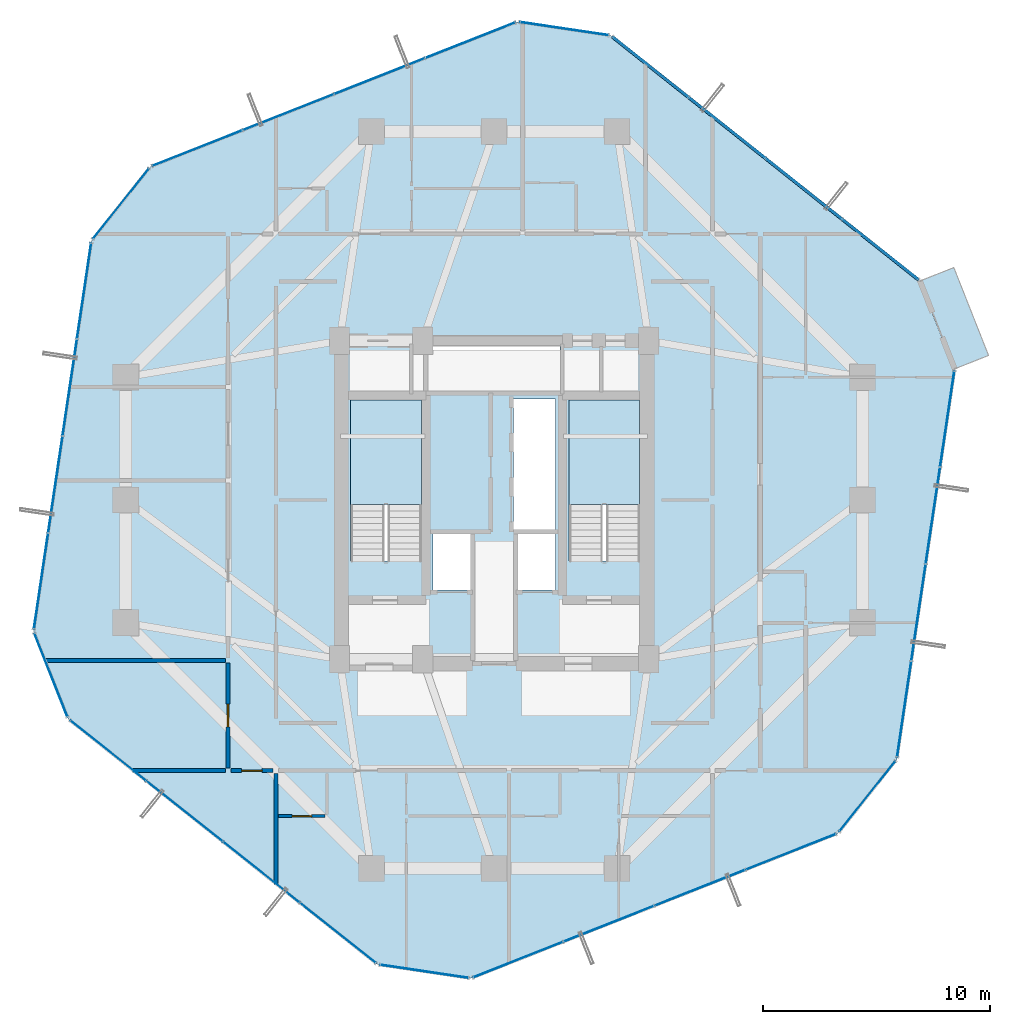
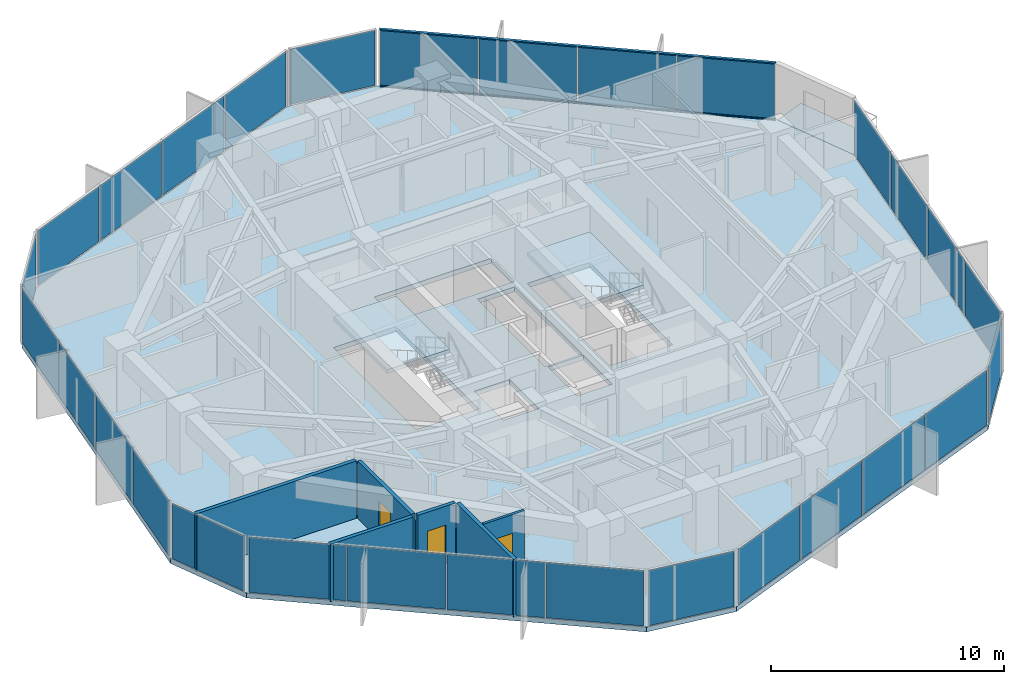
# One storey, part 23 of 29: 29 plates, 6 walls, 4 slabs, 3 doors, 2 members, 3 openings, 13 elements without a shape of their own.
"""IFC4 building model written with IfcOpenShell, lengths in metres."""

from ifc_helpers import new_model, si_unit, direction, frame, frame_2d, origin, origin_2d, place, context, subcontext, project, spatial, polyline, rectangle, hollow_rectangle, outline, extrude, source, transform, mapped, material, layer, layer_set, material_profile, profile_set, type_object, element, fill, aggregate, save


model = new_model("IFC4")

# Units and contexts
model_context = context("Model", 3, precision=1e-05, world=origin(), true_north=direction((0.0, 1.0)))
body_context = subcontext(model_context, "Body", "Model", "MODEL_VIEW")
ifc_project = project(units=[si_unit("LENGTHUNIT", "METRE"), si_unit("AREAUNIT", "SQUARE_METRE"), si_unit("VOLUMEUNIT", "CUBIC_METRE"), si_unit("PLANEANGLEUNIT", "RADIAN"), si_unit("MASSUNIT", "GRAM", prefix="KILO")], contexts=[model_context])

# Site, building, storey
site_placement = place(None, origin())
site = spatial("IfcSite", under=ifc_project, at=site_placement, CompositionType="ELEMENT")
building_placement = place(site_placement, origin())
building = spatial("IfcBuilding", under=site, at=building_placement, Name="Veraguas Prism Commons", CompositionType="ELEMENT")
storey_placement = place(building_placement, frame((0.0, 0.0, 99.199951171875)))
storey = spatial("IfcBuildingStorey", under=building, at=storey_placement, Name="L27", CompositionType="ELEMENT", Elevation=99.199951171875)

# Curtain wall, members
ifc_material_1 = material(Name="Anodised aluminium EN AW-6063 T6", Category="aluminium")
ifc_layer_1 = layer(ifc_material_1, 0.169921875, Name="Unitised Flush Curtain Wall Zone 2", Category="aluminium")
ifc_layer_set_1 = layer_set([ifc_layer_1], Name="Anodised aluminium EN AW-6063 T6")
curtain_wall_type = type_object("IfcCurtainWallType", Name="Unitised Flush Curtain Wall Zone 2", PredefinedType="NOTDEFINED", material=ifc_layer_set_1)
curtain_wall_1_placement = place(storey_placement, origin())
curtain_wall_1 = element("IfcCurtainWall", 1, at=curtain_wall_1_placement, inside=storey, type_object=curtain_wall_type, Name="Tower Facade Curtain Wall L27-F1", PredefinedType="NOTDEFINED")
ifc_material_profile = material_profile(ifc_material_1, hollow_rectangle(XDim=0.054931640625, YDim=0.135009765625, WallThickness=0.0029296875, at=origin_2d()), Name="AL55X135X3")
ifc_profile_set = profile_set([ifc_material_profile], Name="Anodised aluminium EN AW-6063 T6")
member_type = type_object("IfcMemberType", Name="Curtain Wall Transom Standard AL 55x135x3", PredefinedType="USERDEFINED", material=ifc_profile_set)
shared_shape_1 = source(origin(), body_context, "Body", "SweptSolid", [
    extrude(hollow_rectangle(XDim=0.054931640625, YDim=0.135009765625, WallThickness=0.0029296875, at=origin_2d()), origin(), (0.0, 0.0, 1.0), 17.17431640625),
])
member_1_placement = place(storey_placement, frame((42.651611328125, 33.686279296875, 0.027587890625), z_axis=(-0.783256818919, 0.621698283428, 0.0), x_axis=(0.0, 0.0, 1.0)))
member_1 = element("IfcMember", 2, at=member_1_placement, type_object=member_type, Name="CW-Z2 Transom 1", ObjectType="TRANSOM", PredefinedType="USERDEFINED", context=body_context, shape_type="MappedRepresentation", body=[
    mapped(shared_shape_1, transform((0.0, 0.0, 0.0), scale=1.0)),
])
member_2_placement = place(storey_placement, frame((42.651611328125, 33.686279296875, 2.97265625), z_axis=(-0.783256818919, 0.621698283428, 0.0), x_axis=(0.0, 0.0, 1.0)))
member_2 = element("IfcMember", 3, at=member_2_placement, type_object=member_type, Name="CW-Z2 Transom 2", ObjectType="TRANSOM", PredefinedType="USERDEFINED", context=body_context, shape_type="MappedRepresentation", body=[
    mapped(shared_shape_1, transform((0.0, 0.0, 0.0), scale=1.0)),
])

# Stair, slab
ifc_material_2 = material(Name="Precast concrete C45/55", Category="concrete")
stair_type = type_object("IfcStairType", Name="Dogleg Core Stair 1480W 20R 05", PredefinedType="HALF_TURN_STAIR", material=ifc_material_2)
stair_1_placement = place(storey_placement, origin())
stair_1 = element("IfcStair", 4, at=stair_1_placement, inside=storey, type_object=stair_type, Name="Protected Exit Stair ST-01 L27", PredefinedType="HALF_TURN_STAIR")
ifc_layer_2 = layer(ifc_material_2, 0.199951171875, Name="Precast Stair and Ramp Landing Slab 200", Category="concrete")
ifc_layer_set_2 = layer_set([ifc_layer_2], Name="Precast concrete C45/55")
slab_type_1 = type_object("IfcSlabType", Name="Precast Stair and Ramp Landing Slab 200", PredefinedType="LANDING", material=ifc_layer_set_2)
slab_1_placement = place(storey_placement, frame((0.0, 0.0, 1.425048828125)))
slab_1 = element("IfcSlab", 5, at=slab_1_placement, type_object=slab_type_1, Name="ST-05 Landing 1", PredefinedType="LANDING", context=body_context, shape_type="SweptSolid", body=[
    extrude(outline(polyline([(20.800048828125, 23.800048828125), (20.800048828125, 28.39990234375), (17.68994140625, 28.39990234375), (17.68994140625, 23.800048828125), (20.800048828125, 23.800048828125)])), origin(), (0.0, 0.0, 1.0), 0.199951171875),
])
aggregate(stair_1, [slab_1])

stair_2_placement = place(storey_placement, origin())
stair_2 = element("IfcStair", 6, at=stair_2_placement, inside=storey, type_object=stair_type, Name="Protected Exit Stair ST-02 L27", PredefinedType="HALF_TURN_STAIR")
slab_2_placement = place(storey_placement, frame((0.0, 0.0, 1.425048828125)))
slab_2 = element("IfcSlab", 7, at=slab_2_placement, type_object=slab_type_1, Name="ST-05 Landing 1", PredefinedType="LANDING", context=body_context, shape_type="SweptSolid", body=[
    extrude(outline(polyline([(30.39990234375, 23.800048828125), (30.39990234375, 28.39990234375), (27.2900390625, 28.39990234375), (27.2900390625, 23.800048828125), (30.39990234375, 23.800048828125)])), origin(), (0.0, 0.0, 1.0), 0.199951171875),
])
aggregate(stair_2, [slab_2])

# Slabs
ifc_material_3 = material(Name="Concrete C45/55", Category="concrete")
ifc_layer_3 = layer(ifc_material_3, 0.219970703125, Name="Recessed Loggia and Terrace Slab RC 220", Category="concrete")
ifc_layer_set_3 = layer_set([ifc_layer_3], Name="Concrete C45/55")
slab_type_2 = type_object("IfcSlabType", Name="Recessed Loggia and Terrace Slab RC 220", PredefinedType="FLOOR", material=ifc_layer_set_3)
slab_3_placement = place(storey_placement, frame((0.0, 0.0, -0.219970703125)))
element("IfcSlab", 8, at=slab_3_placement, inside=storey, type_object=slab_type_2, Name="Recessed Corner Loggia L27-C1", PredefinedType="FLOOR", context=body_context, shape_type="SweptSolid", body=[
    extrude(outline(polyline([(44.229736328125, 29.760498046875), (45.736328125, 30.355712890625), (44.210205078125, 34.21826171875), (42.70361328125, 33.623046875), (44.229736328125, 29.760498046875)])), origin(), (0.0, 0.0, 1.0), 0.219970703125),
])
ifc_layer_4 = layer(ifc_material_3, 0.25, Name="Tower Lower Residential Floor Slab RC 250", Category="concrete")
ifc_layer_set_4 = layer_set([ifc_layer_4], Name="Concrete C45/55")
slab_type_3 = type_object("IfcSlabType", Name="Tower Lower Residential Floor Slab RC 250", PredefinedType="FLOOR", material=ifc_layer_set_4)
slab_4_placement = place(storey_placement, frame((0.0, 0.0, -0.25)))
element("IfcSlab", 9, at=slab_4_placement, inside=storey, type_object=slab_type_3, Name="Tower Floor Slab L27", PredefinedType="FLOOR", context=body_context, shape_type="SweptSolid", body=[
    extrude(outline(polyline([(44.248291015625, 29.767578125), (42.72216796875, 33.63037109375), (29.129150390625, 44.41943359375), (25.02099609375, 45.029052734375), (8.880859375, 38.651611328125), (6.298828125, 35.398681640625), (3.751708984375, 18.232421875), (5.27783203125, 14.36962890625), (18.870849609375, 3.58056640625), (22.97900390625, 2.970947265625), (39.119140625, 9.348388671875), (41.701171875, 12.601318359375), (44.248291015625, 29.767578125)]), holes=[polyline([(20.800048828125, 21.31005859375), (20.800048828125, 28.39990234375), (17.68994140625, 28.39990234375), (17.68994140625, 21.31005859375), (20.800048828125, 21.31005859375)]), polyline([(30.39990234375, 21.31005859375), (30.39990234375, 28.39990234375), (27.2900390625, 28.39990234375), (27.2900390625, 21.31005859375), (30.39990234375, 21.31005859375)]), polyline([(24.85009765625, 22.64990234375), (26.699951171875, 22.64990234375), (26.699951171875, 28.449951171875), (24.85009765625, 28.449951171875), (24.85009765625, 22.64990234375)]), polyline([(21.10009765625, 28.800048828125), (26.89990234375, 28.800048828125), (26.89990234375, 30.800048828125), (21.10009765625, 30.800048828125), (21.10009765625, 28.800048828125)]), polyline([(21.300048828125, 20.050048828125), (23.050048828125, 20.050048828125), (23.050048828125, 22.550048828125), (21.300048828125, 22.550048828125), (21.300048828125, 20.050048828125)]), polyline([(24.949951171875, 20.050048828125), (26.699951171875, 20.050048828125), (26.699951171875, 22.550048828125), (24.949951171875, 22.550048828125), (24.949951171875, 20.050048828125)])]), origin(), (0.0, 0.0, 1.0), 0.25),
])

# Plate
ifc_material_4 = material(Name="Laminated low-e glass", Category="glass")
ifc_layer_5 = layer(ifc_material_4, 0.028076171875, Name="Unitised Double Low-E Glazed Panel 28", Category="glass")
ifc_layer_set_5 = layer_set([ifc_layer_5], Name="Laminated low-e glass")
plate_type = type_object("IfcPlateType", Name="Unitised Double Low-E Glazed Panel 28", PredefinedType="CURTAIN_PANEL", material=ifc_layer_set_5)
shared_shape_2 = source(origin(), body_context, "Body", "SweptSolid", [
    extrude(rectangle(XDim=4.218505859375, YDim=0.028076171875, at=origin_2d()), origin(), (0.0, 0.0, 1.0), 2.889892578125),
])
plate_1_placement = place(storey_placement, frame((40.97607421875, 35.016357421875, 0.05517578125), z_axis=(0.0, 0.0, 1.0), x_axis=(-0.783260708484, 0.621693383063, 0.0)))
plate_1 = element("IfcPlate", 10, at=plate_1_placement, type_object=plate_type, Name="CW-Z2 Panel 1.1", PredefinedType="CURTAIN_PANEL", context=body_context, shape_type="MappedRepresentation", body=[
    mapped(shared_shape_2, transform((0.0, 0.0, 0.0), scale=1.0)),
])

plate_2_placement = place(storey_placement, frame((30.875244140625, 43.033447265625, 0.05517578125), z_axis=(0.0, 0.0, 1.0), x_axis=(-0.783260708484, 0.621693383063, 0.0)))
plate_2 = element("IfcPlate", 11, at=plate_2_placement, type_object=plate_type, Name="CW-Z2 Panel 4.1", PredefinedType="CURTAIN_PANEL", context=body_context, shape_type="MappedRepresentation", body=[
    mapped(shared_shape_2, transform((0.0, 0.0, 0.0), scale=1.0)),
])

# Curtain wall, plates
curtain_wall_2_placement = place(storey_placement, origin())
curtain_wall_2 = element("IfcCurtainWall", 12, at=curtain_wall_2_placement, inside=storey, type_object=curtain_wall_type, Name="Tower Facade Curtain Wall L27-F2", PredefinedType="NOTDEFINED")
plate_3_placement = place(storey_placement, frame((22.94775390625, 44.209716796875, 0.05517578125), z_axis=(0.0, 0.0, 1.0), x_axis=(-0.93003197597, -0.367478603014, 0.0)))
plate_3 = element("IfcPlate", 13, at=plate_3_placement, type_object=plate_type, Name="CW-Z2 Panel 1.1", PredefinedType="CURTAIN_PANEL", context=body_context, shape_type="MappedRepresentation", body=[
    mapped(shared_shape_2, transform((0.0, 0.0, 0.0), scale=1.0)),
])
plate_4_placement = place(storey_placement, frame((10.9541015625, 39.470947265625, 0.05517578125), z_axis=(0.0, 0.0, 1.0), x_axis=(-0.93003197597, -0.367478603014, 0.0)))
plate_4 = element("IfcPlate", 14, at=plate_4_placement, type_object=plate_type, Name="CW-Z2 Panel 4.1", PredefinedType="CURTAIN_PANEL", context=body_context, shape_type="MappedRepresentation", body=[
    mapped(shared_shape_2, transform((0.0, 0.0, 0.0), scale=1.0)),
])

curtain_wall_3_placement = place(storey_placement, origin())
curtain_wall_3 = element("IfcCurtainWall", 15, at=curtain_wall_3_placement, inside=storey, type_object=curtain_wall_type, Name="Tower Facade Curtain Wall L27-F3", PredefinedType="NOTDEFINED")
plate_5_placement = place(storey_placement, frame((5.9716796875, 33.193603515625, 0.05517578125), z_axis=(0.0, 0.0, 1.0), x_axis=(-0.146777088137, -0.989169594356, 0.0)))
plate_5 = element("IfcPlate", 16, at=plate_5_placement, type_object=plate_type, Name="CW-Z2 Panel 1.1", PredefinedType="CURTAIN_PANEL", context=body_context, shape_type="MappedRepresentation", body=[
    mapped(shared_shape_2, transform((0.0, 0.0, 0.0), scale=1.0)),
])
plate_6_placement = place(storey_placement, frame((4.078857421875, 20.4375, 0.05517578125), z_axis=(0.0, 0.0, 1.0), x_axis=(-0.146777088137, -0.989169594356, 0.0)))
plate_6 = element("IfcPlate", 17, at=plate_6_placement, type_object=plate_type, Name="CW-Z2 Panel 4.1", PredefinedType="CURTAIN_PANEL", context=body_context, shape_type="MappedRepresentation", body=[
    mapped(shared_shape_2, transform((0.0, 0.0, 0.0), scale=1.0)),
])

curtain_wall_4_placement = place(storey_placement, origin())
curtain_wall_4 = element("IfcCurtainWall", 18, at=curtain_wall_4_placement, inside=storey, type_object=curtain_wall_type, Name="Tower Facade Curtain Wall L27-F4", PredefinedType="NOTDEFINED")
plate_7_placement = place(storey_placement, frame((7.02392578125, 12.983642578125, 0.05517578125), z_axis=(0.0, 0.0, 1.0), x_axis=(0.783260708484, -0.621693383063, 0.0)))
plate_7 = element("IfcPlate", 19, at=plate_7_placement, type_object=plate_type, Name="CW-Z2 Panel 1.1", PredefinedType="CURTAIN_PANEL", context=body_context, shape_type="MappedRepresentation", body=[
    mapped(shared_shape_2, transform((0.0, 0.0, 0.0), scale=1.0)),
])
plate_8_placement = place(storey_placement, frame((17.124755859375, 4.966552734375, 0.05517578125), z_axis=(0.0, 0.0, 1.0), x_axis=(0.783260708484, -0.621693383063, 0.0)))
plate_8 = element("IfcPlate", 20, at=plate_8_placement, type_object=plate_type, Name="CW-Z2 Panel 4.1", PredefinedType="CURTAIN_PANEL", context=body_context, shape_type="MappedRepresentation", body=[
    mapped(shared_shape_2, transform((0.0, 0.0, 0.0), scale=1.0)),
])

curtain_wall_5_placement = place(storey_placement, origin())
curtain_wall_5 = element("IfcCurtainWall", 21, at=curtain_wall_5_placement, inside=storey, type_object=curtain_wall_type, Name="Tower Facade Curtain Wall L27-F5", PredefinedType="NOTDEFINED")
plate_9_placement = place(storey_placement, frame((25.05224609375, 3.790283203125, 0.05517578125), z_axis=(0.0, 0.0, 1.0), x_axis=(0.93003197597, 0.367478603014, 0.0)))
plate_9 = element("IfcPlate", 22, at=plate_9_placement, type_object=plate_type, Name="CW-Z2 Panel 1.1", PredefinedType="CURTAIN_PANEL", context=body_context, shape_type="MappedRepresentation", body=[
    mapped(shared_shape_2, transform((0.0, 0.0, 0.0), scale=1.0)),
])
plate_10_placement = place(storey_placement, frame((37.0458984375, 8.529052734375, 0.05517578125), z_axis=(0.0, 0.0, 1.0), x_axis=(0.93003197597, 0.367478603014, 0.0)))
plate_10 = element("IfcPlate", 23, at=plate_10_placement, type_object=plate_type, Name="CW-Z2 Panel 4.1", PredefinedType="CURTAIN_PANEL", context=body_context, shape_type="MappedRepresentation", body=[
    mapped(shared_shape_2, transform((0.0, 0.0, 0.0), scale=1.0)),
])

curtain_wall_6_placement = place(storey_placement, origin())
curtain_wall_6 = element("IfcCurtainWall", 24, at=curtain_wall_6_placement, inside=storey, type_object=curtain_wall_type, Name="Tower Facade Curtain Wall L27-F6", PredefinedType="NOTDEFINED")
plate_11_placement = place(storey_placement, frame((42.0283203125, 14.806396484375, 0.05517578125), z_axis=(0.0, 0.0, 1.0), x_axis=(0.146777088137, 0.989169594356, 0.0)))
plate_11 = element("IfcPlate", 25, at=plate_11_placement, type_object=plate_type, Name="CW-Z2 Panel 1.1", PredefinedType="CURTAIN_PANEL", context=body_context, shape_type="MappedRepresentation", body=[
    mapped(shared_shape_2, transform((0.0, 0.0, 0.0), scale=1.0)),
])
plate_12_placement = place(storey_placement, frame((43.921142578125, 27.5625, 0.05517578125), z_axis=(0.0, 0.0, 1.0), x_axis=(0.146777088137, 0.989169594356, 0.0)))
plate_12 = element("IfcPlate", 26, at=plate_12_placement, type_object=plate_type, Name="CW-Z2 Panel 4.1", PredefinedType="CURTAIN_PANEL", context=body_context, shape_type="MappedRepresentation", body=[
    mapped(shared_shape_2, transform((0.0, 0.0, 0.0), scale=1.0)),
])

# Plate
shared_shape_3 = source(origin(), body_context, "Body", "SweptSolid", [
    extrude(rectangle(XDim=4.24853515625, YDim=0.028076171875, at=origin_2d()), origin(), (0.0, 0.0, 1.0), 2.889892578125),
])
plate_13_placement = place(storey_placement, frame((37.613037109375, 37.685546875, 0.05517578125), z_axis=(0.0, 0.0, 1.0), x_axis=(-0.783260708484, 0.621693383063, 0.0)))
plate_13 = element("IfcPlate", 27, at=plate_13_placement, type_object=plate_type, Name="CW-Z2 Panel 2.1", PredefinedType="CURTAIN_PANEL", context=body_context, shape_type="MappedRepresentation", body=[
    mapped(shared_shape_3, transform((0.0, 0.0, 0.0), scale=1.0)),
])

plate_14_placement = place(storey_placement, frame((34.23828125, 40.3642578125, 0.05517578125), z_axis=(0.0, 0.0, 1.0), x_axis=(-0.783260708484, 0.621693383063, 0.0)))
plate_14 = element("IfcPlate", 28, at=plate_14_placement, type_object=plate_type, Name="CW-Z2 Panel 3.1", PredefinedType="CURTAIN_PANEL", context=body_context, shape_type="MappedRepresentation", body=[
    mapped(shared_shape_3, transform((0.0, 0.0, 0.0), scale=1.0)),
])

aggregate(curtain_wall_1, [member_1, member_2, plate_1, plate_13, plate_14, plate_2])

plate_15_placement = place(storey_placement, frame((18.95458984375, 42.632080078125, 0.05517578125), z_axis=(0.0, 0.0, 1.0), x_axis=(-0.93003197597, -0.367478603014, 0.0)))
plate_15 = element("IfcPlate", 29, at=plate_15_placement, type_object=plate_type, Name="CW-Z2 Panel 2.1", PredefinedType="CURTAIN_PANEL", context=body_context, shape_type="MappedRepresentation", body=[
    mapped(shared_shape_3, transform((0.0, 0.0, 0.0), scale=1.0)),
])

plate_16_placement = place(storey_placement, frame((14.947265625, 41.048583984375, 0.05517578125), z_axis=(0.0, 0.0, 1.0), x_axis=(-0.93003197597, -0.367478603014, 0.0)))
plate_16 = element("IfcPlate", 30, at=plate_16_placement, type_object=plate_type, Name="CW-Z2 Panel 3.1", PredefinedType="CURTAIN_PANEL", context=body_context, shape_type="MappedRepresentation", body=[
    mapped(shared_shape_3, transform((0.0, 0.0, 0.0), scale=1.0)),
])

aggregate(curtain_wall_2, [plate_3, plate_15, plate_16, plate_4])

plate_17_placement = place(storey_placement, frame((5.341552734375, 28.946533203125, 0.05517578125), z_axis=(0.0, 0.0, 1.0), x_axis=(-0.146777088137, -0.989169594356, 0.0)))
plate_17 = element("IfcPlate", 31, at=plate_17_placement, type_object=plate_type, Name="CW-Z2 Panel 2.1", PredefinedType="CURTAIN_PANEL", context=body_context, shape_type="MappedRepresentation", body=[
    mapped(shared_shape_3, transform((0.0, 0.0, 0.0), scale=1.0)),
])

plate_18_placement = place(storey_placement, frame((4.708984375, 24.6845703125, 0.05517578125), z_axis=(0.0, 0.0, 1.0), x_axis=(-0.146777088137, -0.989169594356, 0.0)))
plate_18 = element("IfcPlate", 32, at=plate_18_placement, type_object=plate_type, Name="CW-Z2 Panel 3.1", PredefinedType="CURTAIN_PANEL", context=body_context, shape_type="MappedRepresentation", body=[
    mapped(shared_shape_3, transform((0.0, 0.0, 0.0), scale=1.0)),
])

aggregate(curtain_wall_3, [plate_5, plate_17, plate_18, plate_6])

plate_19_placement = place(storey_placement, frame((10.386962890625, 10.314453125, 0.05517578125), z_axis=(0.0, 0.0, 1.0), x_axis=(0.783260708484, -0.621693383063, 0.0)))
plate_19 = element("IfcPlate", 33, at=plate_19_placement, type_object=plate_type, Name="CW-Z2 Panel 2.1", PredefinedType="CURTAIN_PANEL", context=body_context, shape_type="MappedRepresentation", body=[
    mapped(shared_shape_3, transform((0.0, 0.0, 0.0), scale=1.0)),
])

plate_20_placement = place(storey_placement, frame((13.76171875, 7.6357421875, 0.05517578125), z_axis=(0.0, 0.0, 1.0), x_axis=(0.783260708484, -0.621693383063, 0.0)))
plate_20 = element("IfcPlate", 34, at=plate_20_placement, type_object=plate_type, Name="CW-Z2 Panel 3.1", PredefinedType="CURTAIN_PANEL", context=body_context, shape_type="MappedRepresentation", body=[
    mapped(shared_shape_3, transform((0.0, 0.0, 0.0), scale=1.0)),
])

aggregate(curtain_wall_4, [plate_7, plate_19, plate_20, plate_8])

plate_21_placement = place(storey_placement, frame((29.04541015625, 5.367919921875, 0.05517578125), z_axis=(0.0, 0.0, 1.0), x_axis=(0.93003197597, 0.367478603014, 0.0)))
plate_21 = element("IfcPlate", 35, at=plate_21_placement, type_object=plate_type, Name="CW-Z2 Panel 2.1", PredefinedType="CURTAIN_PANEL", context=body_context, shape_type="MappedRepresentation", body=[
    mapped(shared_shape_3, transform((0.0, 0.0, 0.0), scale=1.0)),
])

plate_22_placement = place(storey_placement, frame((33.052734375, 6.951416015625, 0.05517578125), z_axis=(0.0, 0.0, 1.0), x_axis=(0.93003197597, 0.367478603014, 0.0)))
plate_22 = element("IfcPlate", 36, at=plate_22_placement, type_object=plate_type, Name="CW-Z2 Panel 3.1", PredefinedType="CURTAIN_PANEL", context=body_context, shape_type="MappedRepresentation", body=[
    mapped(shared_shape_3, transform((0.0, 0.0, 0.0), scale=1.0)),
])

aggregate(curtain_wall_5, [plate_9, plate_21, plate_22, plate_10])

plate_23_placement = place(storey_placement, frame((42.658447265625, 19.053466796875, 0.05517578125), z_axis=(0.0, 0.0, 1.0), x_axis=(0.146777088137, 0.989169594356, 0.0)))
plate_23 = element("IfcPlate", 37, at=plate_23_placement, type_object=plate_type, Name="CW-Z2 Panel 2.1", PredefinedType="CURTAIN_PANEL", context=body_context, shape_type="MappedRepresentation", body=[
    mapped(shared_shape_3, transform((0.0, 0.0, 0.0), scale=1.0)),
])

plate_24_placement = place(storey_placement, frame((43.291015625, 23.3154296875, 0.05517578125), z_axis=(0.0, 0.0, 1.0), x_axis=(0.146777088137, 0.989169594356, 0.0)))
plate_24 = element("IfcPlate", 38, at=plate_24_placement, type_object=plate_type, Name="CW-Z2 Panel 3.1", PredefinedType="CURTAIN_PANEL", context=body_context, shape_type="MappedRepresentation", body=[
    mapped(shared_shape_3, transform((0.0, 0.0, 0.0), scale=1.0)),
])

aggregate(curtain_wall_6, [plate_11, plate_23, plate_24, plate_12])

# Curtain wall, plate
curtain_wall_7_placement = place(storey_placement, origin())
curtain_wall_7 = element("IfcCurtainWall", 39, at=curtain_wall_7_placement, inside=storey, type_object=curtain_wall_type, Name="Chamfer Curtain Wall L27-C2", PredefinedType="NOTDEFINED")
shared_shape_4 = source(origin(), body_context, "Body", "SweptSolid", [
    extrude(rectangle(XDim=3.9130859375, YDim=0.028076171875, at=origin_2d()), origin(), (0.0, 0.0, 1.0), 2.889892578125),
])
plate_25_placement = place(storey_placement, frame((27.074951171875, 44.72412109375, 0.05517578125), z_axis=(0.0, 0.0, 1.0), x_axis=(-0.989167801062, 0.146789173113, 0.0)))
plate_25 = element("IfcPlate", 40, at=plate_25_placement, type_object=plate_type, Name="CW-Z2 Panel 1.1", PredefinedType="CURTAIN_PANEL", context=body_context, shape_type="MappedRepresentation", body=[
    mapped(shared_shape_4, transform((0.0, 0.0, 0.0), scale=1.0)),
])
aggregate(curtain_wall_7, [plate_25])

curtain_wall_8_placement = place(storey_placement, origin())
curtain_wall_8 = element("IfcCurtainWall", 41, at=curtain_wall_8_placement, inside=storey, type_object=curtain_wall_type, Name="Chamfer Curtain Wall L27-C3", PredefinedType="NOTDEFINED")
plate_26_placement = place(storey_placement, frame((7.58984375, 37.025146484375, 0.05517578125), z_axis=(0.0, 0.0, 1.0), x_axis=(-0.62168244662, -0.783269388885, 0.0)))
plate_26 = element("IfcPlate", 42, at=plate_26_placement, type_object=plate_type, Name="CW-Z2 Panel 1.1", PredefinedType="CURTAIN_PANEL", context=body_context, shape_type="MappedRepresentation", body=[
    mapped(shared_shape_4, transform((0.0, 0.0, 0.0), scale=1.0)),
])
aggregate(curtain_wall_8, [plate_26])

curtain_wall_9_placement = place(storey_placement, origin())
curtain_wall_9 = element("IfcCurtainWall", 43, at=curtain_wall_9_placement, inside=storey, type_object=curtain_wall_type, Name="Chamfer Curtain Wall L27-C5", PredefinedType="NOTDEFINED")
plate_27_placement = place(storey_placement, frame((20.925048828125, 3.27587890625, 0.05517578125), z_axis=(0.0, 0.0, 1.0), x_axis=(0.989167801062, -0.146789173113, 0.0)))
plate_27 = element("IfcPlate", 44, at=plate_27_placement, type_object=plate_type, Name="CW-Z2 Panel 1.1", PredefinedType="CURTAIN_PANEL", context=body_context, shape_type="MappedRepresentation", body=[
    mapped(shared_shape_4, transform((0.0, 0.0, 0.0), scale=1.0)),
])
aggregate(curtain_wall_9, [plate_27])

curtain_wall_10_placement = place(storey_placement, origin())
curtain_wall_10 = element("IfcCurtainWall", 45, at=curtain_wall_10_placement, inside=storey, type_object=curtain_wall_type, Name="Chamfer Curtain Wall L27-C6", PredefinedType="NOTDEFINED")
plate_28_placement = place(storey_placement, frame((40.41015625, 10.974853515625, 0.05517578125), z_axis=(0.0, 0.0, 1.0), x_axis=(0.62168244662, 0.783269388885, 0.0)))
plate_28 = element("IfcPlate", 46, at=plate_28_placement, type_object=plate_type, Name="CW-Z2 Panel 1.1", PredefinedType="CURTAIN_PANEL", context=body_context, shape_type="MappedRepresentation", body=[
    mapped(shared_shape_4, transform((0.0, 0.0, 0.0), scale=1.0)),
])
aggregate(curtain_wall_10, [plate_28])

curtain_wall_11_placement = place(storey_placement, origin())
curtain_wall_11 = element("IfcCurtainWall", 47, at=curtain_wall_11_placement, inside=storey, type_object=curtain_wall_type, Name="Chamfer Curtain Wall L27-C4", PredefinedType="NOTDEFINED")
shared_shape_5 = source(origin(), body_context, "Body", "SweptSolid", [
    extrude(rectangle(XDim=3.913330078125, YDim=0.028076171875, at=origin_2d()), origin(), (0.0, 0.0, 1.0), 2.889892578125),
])
plate_29_placement = place(storey_placement, frame((4.514892578125, 16.301025390625, 0.05517578125), z_axis=(0.0, 0.0, 1.0), x_axis=(0.367498081478, -0.930024279312, 0.0)))
plate_29 = element("IfcPlate", 48, at=plate_29_placement, type_object=plate_type, Name="CW-Z2 Panel 1.1", PredefinedType="CURTAIN_PANEL", context=body_context, shape_type="MappedRepresentation", body=[
    mapped(shared_shape_5, transform((0.0, 0.0, 0.0), scale=1.0)),
])
aggregate(curtain_wall_11, [plate_29])

# Walls
ifc_material_5 = material(Name="Autoclaved aerated masonry block 10 MPa", Category="masonry")
ifc_layer_6 = layer(ifc_material_5, 0.179931640625, Name="Corridor and Inter-Tenancy Partition 180", Category="masonry")
ifc_layer_set_6 = layer_set([ifc_layer_6], Name="Autoclaved aerated masonry block 10 MPa")
wall_type_1 = type_object("IfcWallType", Name="Corridor and Inter-Tenancy Partition 180", PredefinedType="PARTITIONING", material=ifc_layer_set_6)
wall_1_placement = place(storey_placement, frame((14.39990234375, 11.97998046875, 0.0), z_axis=(0.0, 0.0, 1.0), x_axis=(0.0, -1.0, 0.0)))
element("IfcWall", 49, at=wall_1_placement, inside=storey, type_object=wall_type_1, Name="WL-L27-PT001", PredefinedType="PARTITIONING", context=body_context, shape_type="SweptSolid", body=[
    extrude(rectangle(XDim=4.888916015625, YDim=0.179931640625, at=frame_2d((2.4443359375, 0.0))), origin(), (0.0, 0.0, 1.0), 3.0),
])
wall_2_placement = place(storey_placement, frame((12.179931640625, 12.10009765625, 0.0), z_axis=(0.0, 0.0, 1.0), x_axis=(-1.0, 0.0, 0.0)))
element("IfcWall", 50, at=wall_2_placement, inside=storey, type_object=wall_type_1, Name="WL-L27-PT030", PredefinedType="PARTITIONING", context=body_context, shape_type="SweptSolid", body=[
    extrude(rectangle(XDim=4.0908203125, YDim=0.179931640625, at=frame_2d((2.04541015625, 0.0))), origin(), (0.0, 0.0, 1.0), 3.0),
])

# Wall, opening, door
wall_3_placement = place(storey_placement, frame((12.300048828125, 12.2099609375, 0.0), z_axis=(0.0, 0.0, 1.0), x_axis=(0.0, 1.0, 0.0)))
wall_3 = element("IfcWall", 51, at=wall_3_placement, inside=storey, type_object=wall_type_1, Name="WL-L27-PT032", PredefinedType="PARTITIONING", context=body_context, shape_type="SweptSolid", body=[
    extrude(rectangle(XDim=4.6259765625, YDim=0.179931640625, at=frame_2d((2.31298828125, 0.0))), origin(), (0.0, 0.0, 1.0), 3.0),
])
opening_1_placement = place(wall_3_placement, frame((1.81298828125, 0.0, 0.0)))
opening_1 = element("IfcOpeningElement", 52, at=opening_1_placement, cuts=wall_3, Name="Opening DR-13", PredefinedType="OPENING", context=body_context, shape_type="SweptSolid", body=[
    extrude(rectangle(XDim=1.0, YDim=2.010009765625, at=frame_2d((0.5, 1.0048828125))), frame((0.0, 0.099853515625, 0.0), z_axis=(0.0, -1.0, 0.0), x_axis=(1.0, 0.0, 0.0)), (0.0, 0.0, 1.0), 0.199951171875),
])
ifc_material_6 = material(Name="Steel fire-rated door assembly", Category="steel")
door_type_1 = type_object("IfcDoorType", Name="Core Accessible WC and Clinic Fire Door 1000x2010", OperationType="NOTDEFINED", PredefinedType="DOOR", material=ifc_material_6)
shared_shape_6 = source(origin(), body_context, "Body", "SweptSolid", [
    extrude(rectangle(XDim=1.0, YDim=2.010009765625, at=frame_2d((0.5, 1.0048828125))), frame((0.0, 0.02490234375, 0.0), z_axis=(0.0, -1.0, 0.0), x_axis=(1.0, 0.0, 0.0)), (0.0, 0.0, 1.0), 0.050048828125),
])
door_1_placement = place(opening_1_placement, origin())
door_1 = element("IfcDoor", 53, at=door_1_placement, inside=storey, type_object=door_type_1, Name="Residents Study Room Door", OperationType="SINGLE_SWING_LEFT", OverallHeight=2.010009765625, OverallWidth=1.0, PredefinedType="DOOR", context=body_context, shape_type="MappedRepresentation", body=[
    mapped(shared_shape_6, transform((0.0, 0.0, 0.0), scale=1.0)),
])
fill(opening_1, door_1)

# Wall
wall_4_placement = place(storey_placement, frame((12.179931640625, 16.946044921875, 0.0), z_axis=(0.0, 0.0, 1.0), x_axis=(-1.0, 0.0, 0.0)))
element("IfcWall", 54, at=wall_4_placement, inside=storey, type_object=wall_type_1, Name="WL-L27-PT034", PredefinedType="PARTITIONING", context=body_context, shape_type="SweptSolid", body=[
    extrude(rectangle(XDim=7.9521484375, YDim=0.179931640625, at=frame_2d((3.97607421875, 0.0))), origin(), (0.0, 0.0, 1.0), 3.0),
])

# Wall, opening, door
wall_5_placement = place(storey_placement, frame((12.419921875, 12.10009765625, 0.0), z_axis=(0.0, 0.0, 1.0), x_axis=(1.0, 0.0, 0.0)))
wall_5 = element("IfcWall", 55, at=wall_5_placement, inside=storey, type_object=wall_type_1, Name="WL-L27-PT051", PredefinedType="PARTITIONING", context=body_context, shape_type="SweptSolid", body=[
    extrude(rectangle(XDim=1.860107421875, YDim=0.179931640625, at=frame_2d((0.93017578125, 0.0))), origin(), (0.0, 0.0, 1.0), 3.0),
])
opening_2_placement = place(wall_5_placement, frame((0.47998046875, 0.0, 0.0)))
opening_2 = element("IfcOpeningElement", 56, at=opening_2_placement, cuts=wall_5, Name="Opening DR-14", PredefinedType="OPENING", context=body_context, shape_type="SweptSolid", body=[
    extrude(rectangle(XDim=0.89990234375, YDim=2.010009765625, at=frame_2d((0.449951171875, 1.0048828125))), frame((0.0, 0.099853515625, 0.0), z_axis=(0.0, -1.0, 0.0), x_axis=(1.0, 0.0, 0.0)), (0.0, 0.0, 1.0), 0.199951171875),
])
door_type_2 = type_object("IfcDoorType", Name="Core Service Room Fire Door 900x2010", OperationType="NOTDEFINED", PredefinedType="DOOR", material=ifc_material_6)
shared_shape_7 = source(origin(), body_context, "Body", "SweptSolid", [
    extrude(rectangle(XDim=0.89990234375, YDim=2.010009765625, at=frame_2d((0.449951171875, 1.0048828125))), frame((0.0, 0.02490234375, 0.0), z_axis=(0.0, -1.0, 0.0), x_axis=(1.0, 0.0, 0.0)), (0.0, 0.0, 1.0), 0.050048828125),
])
door_2_placement = place(opening_2_placement, origin())
door_2 = element("IfcDoor", 57, at=door_2_placement, inside=storey, type_object=door_type_2, Name="Residents Corner Study Room SW Door", OperationType="SINGLE_SWING_LEFT", OverallHeight=2.010009765625, OverallWidth=0.89990234375, PredefinedType="DOOR", context=body_context, shape_type="MappedRepresentation", body=[
    mapped(shared_shape_7, transform((0.0, 0.0, 0.0), scale=1.0)),
])
fill(opening_2, door_2)

ifc_material_7 = material(Name="Lightweight acoustic gypsum board")
ifc_layer_7 = layer(ifc_material_7, 0.125, Name="Internal Apartment Room Partition 125")
ifc_layer_set_7 = layer_set([ifc_layer_7], Name="Lightweight acoustic gypsum board")
wall_type_2 = type_object("IfcWallType", Name="Internal Apartment Room Partition 125", PredefinedType="PARTITIONING", material=ifc_layer_set_7)
wall_6_placement = place(storey_placement, frame((14.52001953125, 10.10009765625, 0.0), z_axis=(0.0, 0.0, 1.0), x_axis=(1.0, 0.0, 0.0)))
wall_6 = element("IfcWall", 58, at=wall_6_placement, inside=storey, type_object=wall_type_2, Name="WL-L27-PT005", PredefinedType="PARTITIONING", context=body_context, shape_type="SweptSolid", body=[
    extrude(rectangle(XDim=2.050048828125, YDim=0.125, at=frame_2d((1.02490234375, 0.0))), origin(), (0.0, 0.0, 1.0), 3.0),
])
opening_3_placement = place(wall_6_placement, frame((0.594970703125, 0.0, 0.0)))
opening_3 = element("IfcOpeningElement", 59, at=opening_3_placement, cuts=wall_6, Name="Opening DR-03", PredefinedType="OPENING", context=body_context, shape_type="SweptSolid", body=[
    extrude(rectangle(XDim=0.860107421875, YDim=2.010009765625, at=frame_2d((0.43017578125, 1.0048828125))), frame((0.0, 0.072509765625, 0.0), z_axis=(0.0, -1.0, 0.0), x_axis=(1.0, 0.0, 0.0)), (0.0, 0.0, 1.0), 0.14501953125),
])
ifc_material_8 = material(Name="Timber moisture-resistant leaf", Category="wood")
door_type_3 = type_object("IfcDoorType", Name="Internal Bathroom Door 860x2010", OperationType="NOTDEFINED", PredefinedType="DOOR", material=ifc_material_8)
shared_shape_8 = source(origin(), body_context, "Body", "SweptSolid", [
    extrude(rectangle(XDim=0.860107421875, YDim=2.010009765625, at=frame_2d((0.43017578125, 1.0048828125))), frame((0.0, 0.02490234375, 0.0), z_axis=(0.0, -1.0, 0.0), x_axis=(1.0, 0.0, 0.0)), (0.0, 0.0, 1.0), 0.050048828125),
])
door_3_placement = place(opening_3_placement, origin())
door_3 = element("IfcDoor", 60, at=door_3_placement, inside=storey, type_object=door_type_3, Name="Flat 27A Bathroom Door", OperationType="SINGLE_SWING_LEFT", OverallHeight=2.010009765625, OverallWidth=0.860107421875, PredefinedType="DOOR", context=body_context, shape_type="MappedRepresentation", body=[
    mapped(shared_shape_8, transform((0.0, 0.0, 0.0), scale=1.0)),
])
fill(opening_3, door_3)

save(model, "model.ifc")
